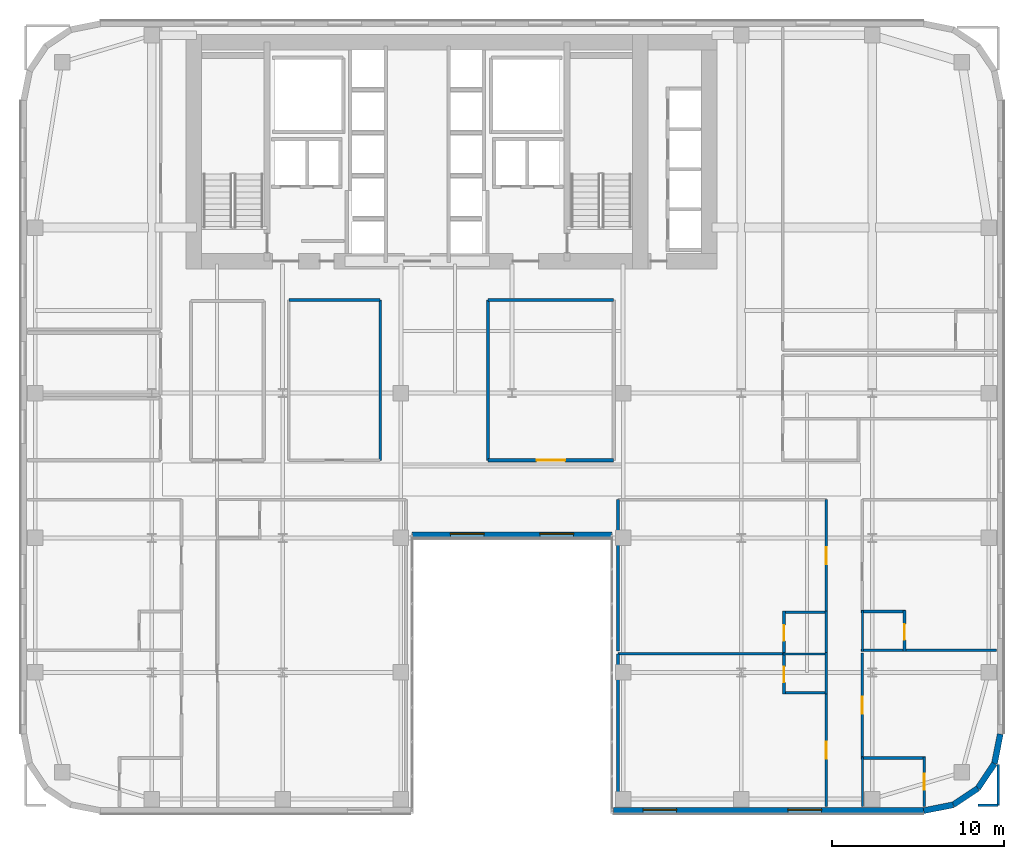
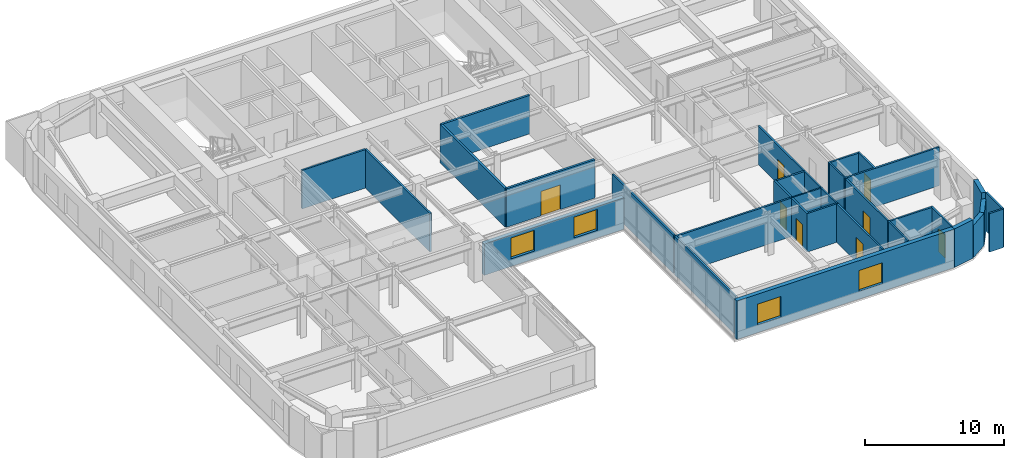
# One storey, part 15 of 24: 33 walls, 8 doors, 4 windows, 12 openings.
"""IFC4 building model written with IfcOpenShell, lengths in metres."""

from ifc_helpers import new_model, si_unit, direction, frame, frame_2d, origin, place, context, subcontext, project, spatial, rectangle, extrude, source, transform, mapped, material, layer, layer_set, type_object, type_shapes, element, fill, save


model = new_model("IFC4")

# Units and contexts
model_context = context("Model", 3, precision=1e-05, world=origin(), true_north=direction((0.0, 1.0)))
body_context = subcontext(model_context, "Body", "Model", "MODEL_VIEW")
ifc_project = project(units=[si_unit("LENGTHUNIT", "METRE"), si_unit("AREAUNIT", "SQUARE_METRE"), si_unit("VOLUMEUNIT", "CUBIC_METRE"), si_unit("PLANEANGLEUNIT", "RADIAN"), si_unit("MASSUNIT", "GRAM", prefix="KILO")], contexts=[model_context])

# Site, building, storey
site_placement = place(None, origin())
site = spatial("IfcSite", under=ifc_project, at=site_placement, CompositionType="ELEMENT")
building_placement = place(site_placement, origin())
building = spatial("IfcBuilding", under=site, at=building_placement, Name="Tolvann Quenvar Hotel", CompositionType="ELEMENT")
storey_placement = place(building_placement, frame((0.0, 0.0, 88.800048828125)))
storey = spatial("IfcBuildingStorey", under=building, at=storey_placement, Name="L22", CompositionType="ELEMENT", Elevation=88.800048828125)

# Wall, openings, windows
ifc_material_1 = material(Name="Kiln-fired red and buff architectural clay brickwork and terracotta masonry", Category="masonry")
ifc_layer_1 = layer(ifc_material_1, 0.35009765625)
ifc_layer_set_1 = layer_set([ifc_layer_1], Name="Kiln-fired red and buff architectural clay brickwork and terracotta masonry")
wall_type_1 = type_object("IfcWallType", Name="WALL_EXT_BRICK_350", PredefinedType="SOLIDWALL", material=ifc_layer_set_1)
wall_1_placement = place(storey_placement, frame((22.7099609375, 16.175048828125, 0.0), z_axis=(0.0, 0.0, 1.0), x_axis=(1.0, 0.0, 0.0)))
wall_1 = element("IfcWall", 1, at=wall_1_placement, inside=storey, type_object=wall_type_1, Name="Exterior Chicago Brick Wall L22-E06", PredefinedType="SOLIDWALL", context=body_context, shape_type="SweptSolid", body=[
    extrude(rectangle(XDim=11.580078125, YDim=0.35009765625, at=frame_2d((5.7900390625, 0.0))), origin(), (0.0, 0.0, 1.0), 2.748046875),
])
opening_1_placement = place(wall_1_placement, frame((2.219970703125, 0.0, 0.679931640625)))
opening_1 = element("IfcOpeningElement", 2, at=opening_1_placement, cuts=wall_1, Name="Opening W-10", PredefinedType="OPENING", context=body_context, shape_type="SweptSolid", body=[
    extrude(rectangle(XDim=1.949951171875, YDim=1.820068359375, at=frame_2d((0.97509765625, 0.91015625))), frame((0.0, 0.18505859375, 0.0), z_axis=(0.0, -1.0, 0.0), x_axis=(1.0, 0.0, 0.0)), (0.0, 0.0, 1.0), 0.3701171875),
])
opening_2_placement = place(wall_1_placement, frame((7.409912109375, 0.0, 0.679931640625)))
opening_2 = element("IfcOpeningElement", 3, at=opening_2_placement, cuts=wall_1, Name="Opening W-10", PredefinedType="OPENING", context=body_context, shape_type="SweptSolid", body=[
    extrude(rectangle(XDim=1.949951171875, YDim=1.820068359375, at=frame_2d((0.97509765625, 0.91015625))), frame((0.0, 0.18505859375, 0.0), z_axis=(0.0, -1.0, 0.0), x_axis=(1.0, 0.0, 0.0)), (0.0, 0.0, 1.0), 0.3701171875),
])
ifc_material_2 = material(Name="Thermally broken bronze-anodised aluminium frame with double low-E glazing", Category="aluminium")
window_type = type_object("IfcWindowType", Name="WIN_CLB_1950x1850", PartitioningType="DOUBLE_PANEL_VERTICAL", PredefinedType="WINDOW", material=ifc_material_2)
shared_shape_1 = source(origin(), body_context, "Body", "SweptSolid", [
    extrude(rectangle(XDim=1.949951171875, YDim=1.820068359375, at=frame_2d((0.97509765625, 0.91015625))), frame((0.0, 0.090087890625, 0.0), z_axis=(0.0, -1.0, 0.0), x_axis=(1.0, 0.0, 0.0)), (0.0, 0.0, 1.0), 0.06005859375),
])
type_shapes(window_type, [shared_shape_1])
window_1_placement = place(opening_1_placement, origin())
window_1 = element("IfcWindow", 4, at=window_1_placement, inside=storey, type_object=window_type, Name="Chicago Window W-10 (EW-L22-E06-W01)", OverallHeight=1.820068359375, OverallWidth=1.949951171875, PartitioningType="DOUBLE_PANEL_VERTICAL", PredefinedType="WINDOW", context=body_context, shape_type="MappedRepresentation", body=[
    mapped(shared_shape_1, transform((0.0, 0.0, 0.0), x_axis=(1.0, 0.0, 0.0), y_axis=(0.0, 1.0, 0.0), z_axis=(0.0, 0.0, 1.0), scale=1.0)),
])
fill(opening_1, window_1)
window_2_placement = place(opening_2_placement, origin())
window_2 = element("IfcWindow", 5, at=window_2_placement, inside=storey, type_object=window_type, Name="Chicago Window W-10 (EW-L22-E06-W02)", OverallHeight=1.820068359375, OverallWidth=1.949951171875, PartitioningType="DOUBLE_PANEL_VERTICAL", PredefinedType="WINDOW", context=body_context, shape_type="MappedRepresentation", body=[
    mapped(shared_shape_1, transform((0.0, 0.0, 0.0), x_axis=(1.0, 0.0, 0.0), y_axis=(0.0, 1.0, 0.0), z_axis=(0.0, 0.0, 1.0), scale=1.0)),
])
fill(opening_2, window_2)

wall_2_placement = place(storey_placement, frame((34.375, 0.175048828125, 0.0), z_axis=(0.0, 0.0, 1.0), x_axis=(1.0, 0.0, 0.0)))
wall_2 = element("IfcWall", 6, at=wall_2_placement, inside=storey, type_object=wall_type_1, Name="Exterior Chicago Brick Wall L22-E08", PredefinedType="SOLIDWALL", context=body_context, shape_type="SweptSolid", body=[
    extrude(rectangle(XDim=18.0078125, YDim=0.35009765625, at=frame_2d((9.00390625, 0.0))), origin(), (0.0, 0.0, 1.0), 3.369873046875),
])
opening_3_placement = place(wall_2_placement, frame((1.72607421875, 0.0, 0.679931640625)))
opening_3 = element("IfcOpeningElement", 7, at=opening_3_placement, cuts=wall_2, Name="Opening W-10", PredefinedType="OPENING", context=body_context, shape_type="SweptSolid", body=[
    extrude(rectangle(XDim=1.949951171875, YDim=1.820068359375, at=frame_2d((0.97509765625, 0.91015625))), frame((0.0, 0.18505859375, 0.0), z_axis=(0.0, -1.0, 0.0), x_axis=(1.0, 0.0, 0.0)), (0.0, 0.0, 1.0), 0.3701171875),
])
opening_4_placement = place(wall_2_placement, frame((10.1298828125, 0.0, 0.679931640625)))
opening_4 = element("IfcOpeningElement", 8, at=opening_4_placement, cuts=wall_2, Name="Opening W-10", PredefinedType="OPENING", context=body_context, shape_type="SweptSolid", body=[
    extrude(rectangle(XDim=1.949951171875, YDim=1.820068359375, at=frame_2d((0.97509765625, 0.91015625))), frame((0.0, 0.18505859375, 0.0), z_axis=(0.0, -1.0, 0.0), x_axis=(1.0, 0.0, 0.0)), (0.0, 0.0, 1.0), 0.3701171875),
])
window_3_placement = place(opening_3_placement, origin())
window_3 = element("IfcWindow", 9, at=window_3_placement, inside=storey, type_object=window_type, Name="Chicago Window W-10 (EW-L22-E08-W01)", OverallHeight=1.820068359375, OverallWidth=1.949951171875, PartitioningType="DOUBLE_PANEL_VERTICAL", PredefinedType="WINDOW", context=body_context, shape_type="MappedRepresentation", body=[
    mapped(shared_shape_1, transform((0.0, 0.0, 0.0), x_axis=(1.0, 0.0, 0.0), y_axis=(0.0, 1.0, 0.0), z_axis=(0.0, 0.0, 1.0), scale=1.0)),
])
fill(opening_3, window_3)
window_4_placement = place(opening_4_placement, origin())
window_4 = element("IfcWindow", 10, at=window_4_placement, inside=storey, type_object=window_type, Name="Chicago Window W-10 (EW-L22-E08-W02)", OverallHeight=1.820068359375, OverallWidth=1.949951171875, PartitioningType="DOUBLE_PANEL_VERTICAL", PredefinedType="WINDOW", context=body_context, shape_type="MappedRepresentation", body=[
    mapped(shared_shape_1, transform((0.0, 0.0, 0.0), x_axis=(1.0, 0.0, 0.0), y_axis=(0.0, 1.0, 0.0), z_axis=(0.0, 0.0, 1.0), scale=1.0)),
])
fill(opening_4, window_4)

# Walls
wall_3_placement = place(storey_placement, frame((52.3828125, 0.175048828125, 0.0), z_axis=(0.0, 0.0, 1.0), x_axis=(0.980800971659, 0.195011420161, 0.0)))
element("IfcWall", 11, at=wall_3_placement, inside=storey, type_object=wall_type_1, Name="Exterior Chicago Brick Wall L22-E09", PredefinedType="SOLIDWALL", context=body_context, shape_type="SweptSolid", body=[
    extrude(rectangle(XDim=1.74267578125, YDim=0.35009765625, at=frame_2d((0.871337890625, 0.0))), origin(), (0.0, 0.0, 1.0), 3.369873046875),
])
for number, where, z_axis, x_axis, name in (
    (12, (54.092041015625, 0.514892578125, 0.0), (0.0, 0.0, 1.0), (0.831483840845, 0.55554893791, 0.0), "Exterior Chicago Brick Wall L22-E10"),
    (13, (55.526611328125, 1.473388671875, 0.0), (0.0, 0.0, 1.0), (0.55554893791, 0.831483840845, 0.0), "Exterior Chicago Brick Wall L22-E11"),
):
    element("IfcWall", number, at=place(storey_placement, frame(where, z_axis=z_axis, x_axis=x_axis)), inside=storey, type_object=wall_type_1, Name=name, PredefinedType="SOLIDWALL", context=body_context, shape_type="SweptSolid", body=[
        extrude(rectangle(XDim=1.725341796875, YDim=0.35009765625, at=frame_2d((0.86279296875, 0.0))), origin(), (0.0, 0.0, 1.0), 2.83203125),
    ])
wall_4_placement = place(storey_placement, frame((56.485107421875, 2.907958984375, 0.0), z_axis=(0.0, 0.0, 1.0), x_axis=(0.195011420161, 0.980800971659, 0.0)))
element("IfcWall", 14, at=wall_4_placement, inside=storey, type_object=wall_type_1, Name="Exterior Chicago Brick Wall L22-E12", PredefinedType="SOLIDWALL", context=body_context, shape_type="SweptSolid", body=[
    extrude(rectangle(XDim=1.74267578125, YDim=0.35009765625, at=frame_2d((0.871337890625, 0.0))), origin(), (0.0, 0.0, 1.0), 3.369873046875),
])

# Wall, opening, door
ifc_material_3 = material(Name="Acoustic twin-stud fire-rated gypsum plasterboard partition")
ifc_layer_2 = layer(ifc_material_3, 0.179931640625)
ifc_layer_set_2 = layer_set([ifc_layer_2], Name="Acoustic twin-stud fire-rated gypsum plasterboard partition")
wall_type_2 = type_object("IfcWallType", Name="WALL_PART_ACOUSTIC_180", PredefinedType="PARTITIONING", material=ifc_layer_set_2)
wall_5_placement = place(storey_placement, frame((27.10009765625, 20.5, 0.0), z_axis=(0.0, 0.0, 1.0), x_axis=(1.0, 0.0, 0.0)))
wall_5 = element("IfcWall", 15, at=wall_5_placement, inside=storey, type_object=wall_type_2, Name="Interior Partition PT-SPC-L22-MSP-C-S", PredefinedType="PARTITIONING", context=body_context, shape_type="SweptSolid", body=[
    extrude(rectangle(XDim=7.2998046875, YDim=0.179931640625, at=frame_2d((3.64990234375, 0.0))), origin(), (0.0, 0.0, 1.0), 3.369873046875),
])
opening_5_placement = place(wall_5_placement, frame((2.824951171875, 0.0, 0.0)))
opening_5 = element("IfcOpeningElement", 16, at=opening_5_placement, cuts=wall_5, Name="Opening AD-01", PredefinedType="OPENING", context=body_context, shape_type="SweptSolid", body=[
    extrude(rectangle(XDim=1.64990234375, YDim=2.14990234375, at=frame_2d((0.824951171875, 1.074951171875))), frame((0.0, 0.10009765625, 0.0), z_axis=(0.0, -1.0, 0.0), x_axis=(1.0, 0.0, 0.0)), (0.0, 0.0, 1.0), 0.199951171875),
])
ifc_material_4 = material(Name="Solid-core American oak acoustic fire door leaf in steel frame", Category="steel")
door_type_1 = type_object("IfcDoorType", Name="DOOR_SALON_1650", OperationType="NOTDEFINED", PredefinedType="DOOR", material=ifc_material_4)
shared_shape_2 = source(origin(), body_context, "Body", "SweptSolid", [
    extrude(rectangle(XDim=1.64990234375, YDim=2.14990234375, at=frame_2d((0.824951171875, 1.074951171875))), frame((0.0, 0.02490234375, 0.0), z_axis=(0.0, -1.0, 0.0), x_axis=(1.0, 0.0, 0.0)), (0.0, 0.0, 1.0), 0.050048828125),
])
type_shapes(door_type_1, [shared_shape_2])
door_1_placement = place(opening_5_placement, origin())
door_1 = element("IfcDoor", 17, at=door_1_placement, inside=storey, type_object=door_type_1, Name="Interior Door DOOR-SPC-L22-MSP-C", OperationType="DOUBLE_DOOR_SINGLE_SWING", OverallHeight=2.14990234375, OverallWidth=1.64990234375, PredefinedType="DOOR", context=body_context, shape_type="MappedRepresentation", body=[
    mapped(shared_shape_2, transform((0.0, 0.0, 0.0), x_axis=(1.0, 0.0, 0.0), y_axis=(0.0, 1.0, 0.0), z_axis=(0.0, 0.0, 1.0), scale=1.0)),
])
fill(opening_5, door_1)

# Walls
wall_6_placement = place(storey_placement, frame((27.10009765625, 29.800048828125, 0.0), z_axis=(0.0, 0.0, 1.0), x_axis=(1.0, 0.0, 0.0)))
element("IfcWall", 18, at=wall_6_placement, inside=storey, type_object=wall_type_2, Name="Interior Partition PT-SPC-L22-MSP-C-N", PredefinedType="PARTITIONING", context=body_context, shape_type="SweptSolid", body=[
    extrude(rectangle(XDim=7.2998046875, YDim=0.179931640625, at=frame_2d((3.64990234375, 0.0))), origin(), (0.0, 0.0, 1.0), 3.369873046875),
])
wall_7_placement = place(storey_placement, frame((27.10009765625, 20.5, 0.0), z_axis=(0.0, 0.0, 1.0), x_axis=(0.0, 1.0, 0.0)))
element("IfcWall", 19, at=wall_7_placement, inside=storey, type_object=wall_type_2, Name="Interior Partition PT-SPC-L22-MSP-C-W", PredefinedType="PARTITIONING", context=body_context, shape_type="SweptSolid", body=[
    extrude(rectangle(XDim=9.300048828125, YDim=0.179931640625, at=frame_2d((4.64990234375, 0.0))), origin(), (0.0, 0.0, 1.0), 3.369873046875),
])
ifc_material_5 = material(Name="Moisture-resistant acoustic plumbing wall assembly")
ifc_layer_3 = layer(ifc_material_5, 0.1201171875)
ifc_layer_set_3 = layer_set([ifc_layer_3], Name="Moisture-resistant acoustic plumbing wall assembly")
wall_type_3 = type_object("IfcWallType", Name="WALL_PART_BATH_120", PredefinedType="PLUMBINGWALL", material=ifc_layer_set_3)
wall_8_placement = place(storey_placement, frame((44.2099609375, 9.27001953125, 0.0), z_axis=(0.0, 0.0, 1.0), x_axis=(1.0, 0.0, 0.0)))
element("IfcWall", 20, at=wall_8_placement, inside=storey, type_object=wall_type_3, Name="Non-Rated Plumbing Partition PT-SPC-L22-ENS-EI01-N", PredefinedType="PLUMBINGWALL", context=body_context, shape_type="SweptSolid", body=[
    extrude(rectangle(XDim=2.590087890625, YDim=0.1201171875, at=frame_2d((1.294921875, 0.0))), origin(), (0.0, 0.0, 1.0), 3.369873046875),
])
wall_9_placement = place(storey_placement, frame((46.72998046875, 6.949951171875, 0.0), z_axis=(0.0, 0.0, 1.0), x_axis=(0.0, 1.0, 0.0)))
element("IfcWall", 21, at=wall_9_placement, inside=storey, type_object=wall_type_3, Name="Non-Rated Plumbing Partition PT-SPC-L22-ENS-EI01-E", PredefinedType="PLUMBINGWALL", context=body_context, shape_type="SweptSolid", body=[
    extrude(rectangle(XDim=2.39013671875, YDim=0.1201171875, at=frame_2d((1.195068359375, 0.0))), origin(), (0.0, 0.0, 1.0), 3.369873046875),
])
wall_10_placement = place(storey_placement, frame((46.72998046875, 9.360107421875, 0.0), z_axis=(0.0, 0.0, 1.0), x_axis=(0.0, 1.0, 0.0)))
element("IfcWall", 22, at=wall_10_placement, inside=storey, type_object=wall_type_3, Name="Non-Rated Plumbing Partition PT-SPC-L22-ENS-EI02-E", PredefinedType="PLUMBINGWALL", context=body_context, shape_type="SweptSolid", body=[
    extrude(rectangle(XDim=2.389892578125, YDim=0.1201171875, at=frame_2d((1.19482421875, 0.0))), origin(), (0.0, 0.0, 1.0), 3.369873046875),
])
wall_11_placement = place(storey_placement, frame((48.820068359375, 0.405029296875, 0.0), z_axis=(0.0, 0.0, 1.0), x_axis=(0.0, 1.0, 0.0)))
element("IfcWall", 23, at=wall_11_placement, inside=storey, type_object=wall_type_3, Name="Non-Rated Plumbing Partition PT-SPC-L22-ENS-EO01-W", PredefinedType="PLUMBINGWALL", context=body_context, shape_type="SweptSolid", body=[
    extrude(rectangle(XDim=2.89501953125, YDim=0.1201171875, at=frame_2d((1.447509765625, 0.0))), origin(), (0.0, 0.0, 1.0), 3.369873046875),
])
wall_12_placement = place(storey_placement, frame((48.820068359375, 9.409912109375, 0.0), z_axis=(0.0, 0.0, 1.0), x_axis=(0.0, 1.0, 0.0)))
element("IfcWall", 24, at=wall_12_placement, inside=storey, type_object=wall_type_3, Name="Non-Rated Plumbing Partition PT-SPC-L22-ENS-EO02-W", PredefinedType="PLUMBINGWALL", context=body_context, shape_type="SweptSolid", body=[
    extrude(rectangle(XDim=2.39013671875, YDim=0.1201171875, at=frame_2d((1.195068359375, 0.0))), origin(), (0.0, 0.0, 1.0), 3.369873046875),
])

# Wall, opening, door
ifc_layer_4 = layer(ifc_material_3, 0.14990234375)
ifc_layer_set_4 = layer_set([ifc_layer_4], Name="Acoustic twin-stud fire-rated gypsum plasterboard partition")
wall_type_4 = type_object("IfcWallType", Name="WALL_PART_SUITE_150", PredefinedType="PARTITIONING", material=ifc_layer_set_4)
wall_13_placement = place(storey_placement, frame((44.280029296875, 6.949951171875, 0.0), z_axis=(0.0, 0.0, 1.0), x_axis=(0.0, 1.0, 0.0)))
wall_13 = element("IfcWall", 25, at=wall_13_placement, inside=storey, type_object=wall_type_4, Name="Interior Partition PT-SPC-L22-ENS-EI01-ENT", PredefinedType="PARTITIONING", context=body_context, shape_type="SweptSolid", body=[
    extrude(rectangle(XDim=2.39013671875, YDim=0.14990234375, at=frame_2d((1.195068359375, 0.0))), origin(), (0.0, 0.0, 1.0), 3.369873046875),
])
opening_6_placement = place(wall_13_placement, frame((0.6650390625, 0.0, 0.0)))
opening_6 = element("IfcOpeningElement", 26, at=opening_6_placement, cuts=wall_13, Name="Opening WD-01", PredefinedType="OPENING", context=body_context, shape_type="SweptSolid", body=[
    extrude(rectangle(XDim=0.919921875, YDim=2.010009765625, at=frame_2d((0.4599609375, 1.0048828125))), frame((0.0, 0.0849609375, 0.0), z_axis=(0.0, -1.0, 0.0), x_axis=(1.0, 0.0, 0.0)), (0.0, 0.0, 1.0), 0.169921875),
])
door_type_2 = type_object("IfcDoorType", Name="DOOR_WC_920", OperationType="NOTDEFINED", PredefinedType="DOOR", material=ifc_material_4)
shared_shape_3 = source(origin(), body_context, "Body", "SweptSolid", [
    extrude(rectangle(XDim=0.919921875, YDim=2.010009765625, at=frame_2d((0.4599609375, 1.0048828125))), frame((0.0, 0.02490234375, 0.0), z_axis=(0.0, -1.0, 0.0), x_axis=(1.0, 0.0, 0.0)), (0.0, 0.0, 1.0), 0.050048828125),
])
type_shapes(door_type_2, [shared_shape_3])
door_2_placement = place(opening_6_placement, origin())
door_2 = element("IfcDoor", 27, at=door_2_placement, inside=storey, type_object=door_type_2, Name="Interior Door DOOR-SPC-L22-ENS-EI01", OperationType="SINGLE_SWING_LEFT", OverallHeight=2.010009765625, OverallWidth=0.919921875, PredefinedType="DOOR", context=body_context, shape_type="MappedRepresentation", body=[
    mapped(shared_shape_3, transform((0.0, 0.0, 0.0), x_axis=(1.0, 0.0, 0.0), y_axis=(0.0, 1.0, 0.0), z_axis=(0.0, 0.0, 1.0), scale=1.0)),
])
fill(opening_6, door_2)

# Wall
wall_14_placement = place(storey_placement, frame((44.2099609375, 7.02001953125, 0.0), z_axis=(0.0, 0.0, 1.0), x_axis=(1.0, 0.0, 0.0)))
element("IfcWall", 28, at=wall_14_placement, inside=storey, type_object=wall_type_4, Name="Interior Partition PT-SPC-L22-ENS-EI01-S", PredefinedType="PARTITIONING", context=body_context, shape_type="SweptSolid", body=[
    extrude(rectangle(XDim=2.590087890625, YDim=0.14990234375, at=frame_2d((1.294921875, 0.0))), origin(), (0.0, 0.0, 1.0), 3.369873046875),
])

# Wall, opening, door
wall_15_placement = place(storey_placement, frame((44.280029296875, 9.360107421875, 0.0), z_axis=(0.0, 0.0, 1.0), x_axis=(0.0, 1.0, 0.0)))
wall_15 = element("IfcWall", 29, at=wall_15_placement, inside=storey, type_object=wall_type_4, Name="Interior Partition PT-SPC-L22-ENS-EI02-ENT", PredefinedType="PARTITIONING", context=body_context, shape_type="SweptSolid", body=[
    extrude(rectangle(XDim=2.389892578125, YDim=0.14990234375, at=frame_2d((1.19482421875, 0.0))), origin(), (0.0, 0.0, 1.0), 3.369873046875),
])
opening_7_placement = place(wall_15_placement, frame((0.6650390625, 0.0, 0.0)))
opening_7 = element("IfcOpeningElement", 30, at=opening_7_placement, cuts=wall_15, Name="Opening WD-01", PredefinedType="OPENING", context=body_context, shape_type="SweptSolid", body=[
    extrude(rectangle(XDim=0.919921875, YDim=2.010009765625, at=frame_2d((0.4599609375, 1.0048828125))), frame((0.0, 0.0849609375, 0.0), z_axis=(0.0, -1.0, 0.0), x_axis=(1.0, 0.0, 0.0)), (0.0, 0.0, 1.0), 0.169921875),
])
door_3_placement = place(opening_7_placement, origin())
door_3 = element("IfcDoor", 31, at=door_3_placement, inside=storey, type_object=door_type_2, Name="Interior Door DOOR-SPC-L22-ENS-EI02", OperationType="SINGLE_SWING_RIGHT", OverallHeight=2.010009765625, OverallWidth=0.919921875, PredefinedType="DOOR", context=body_context, shape_type="MappedRepresentation", body=[
    mapped(shared_shape_3, transform((0.0, 0.0, 0.0), x_axis=(1.0, 0.0, 0.0), y_axis=(0.0, 1.0, 0.0), z_axis=(0.0, 0.0, 1.0), scale=1.0)),
])
fill(opening_7, door_3)

# Wall
wall_16_placement = place(storey_placement, frame((44.2099609375, 11.679931640625, 0.0), z_axis=(0.0, 0.0, 1.0), x_axis=(1.0, 0.0, 0.0)))
element("IfcWall", 32, at=wall_16_placement, inside=storey, type_object=wall_type_4, Name="Interior Partition PT-SPC-L22-ENS-EI02-N", PredefinedType="PARTITIONING", context=body_context, shape_type="SweptSolid", body=[
    extrude(rectangle(XDim=2.590087890625, YDim=0.14990234375, at=frame_2d((1.294921875, 0.0))), origin(), (0.0, 0.0, 1.0), 3.369873046875),
])

# Wall, opening, door
wall_17_placement = place(storey_placement, frame((52.419921875, 0.4169921875, 0.0), z_axis=(0.0, 0.0, 1.0), x_axis=(0.0, 1.0, 0.0)))
wall_17 = element("IfcWall", 33, at=wall_17_placement, inside=storey, type_object=wall_type_4, Name="Interior Partition PT-SPC-L22-ENS-EO01-ENT", PredefinedType="PARTITIONING", context=body_context, shape_type="SweptSolid", body=[
    extrude(rectangle(XDim=2.883056640625, YDim=0.14990234375, at=frame_2d((1.44140625, 0.0))), origin(), (0.0, 0.0, 1.0), 3.369873046875),
])
opening_8_placement = place(wall_17_placement, frame((0.968017578125, 0.0, 0.0)))
opening_8 = element("IfcOpeningElement", 34, at=opening_8_placement, cuts=wall_17, Name="Opening WD-01", PredefinedType="OPENING", context=body_context, shape_type="SweptSolid", body=[
    extrude(rectangle(XDim=0.919921875, YDim=2.010009765625, at=frame_2d((0.4599609375, 1.0048828125))), frame((0.0, 0.0849609375, 0.0), z_axis=(0.0, -1.0, 0.0), x_axis=(1.0, 0.0, 0.0)), (0.0, 0.0, 1.0), 0.169921875),
])
door_4_placement = place(opening_8_placement, origin())
door_4 = element("IfcDoor", 35, at=door_4_placement, inside=storey, type_object=door_type_2, Name="Interior Door DOOR-SPC-L22-ENS-EO01", OperationType="SINGLE_SWING_LEFT", OverallHeight=2.010009765625, OverallWidth=0.919921875, PredefinedType="DOOR", context=body_context, shape_type="MappedRepresentation", body=[
    mapped(shared_shape_3, transform((0.0, 0.0, 0.0), x_axis=(1.0, 0.0, 0.0), y_axis=(0.0, 1.0, 0.0), z_axis=(0.0, 0.0, 1.0), scale=1.0)),
])
fill(opening_8, door_4)

# Wall
wall_18_placement = place(storey_placement, frame((48.75, 3.22998046875, 0.0), z_axis=(0.0, 0.0, 1.0), x_axis=(1.0, 0.0, 0.0)))
element("IfcWall", 36, at=wall_18_placement, inside=storey, type_object=wall_type_4, Name="Interior Partition PT-SPC-L22-ENS-EO01-N", PredefinedType="PARTITIONING", context=body_context, shape_type="SweptSolid", body=[
    extrude(rectangle(XDim=3.739990234375, YDim=0.14990234375, at=frame_2d((1.8701171875, 0.0))), origin(), (0.0, 0.0, 1.0), 3.369873046875),
])

# Wall, opening, door
wall_19_placement = place(storey_placement, frame((51.27001953125, 9.409912109375, 0.0), z_axis=(0.0, 0.0, 1.0), x_axis=(0.0, 1.0, 0.0)))
wall_19 = element("IfcWall", 37, at=wall_19_placement, inside=storey, type_object=wall_type_4, Name="Interior Partition PT-SPC-L22-ENS-EO02-ENT", PredefinedType="PARTITIONING", context=body_context, shape_type="SweptSolid", body=[
    extrude(rectangle(XDim=2.39013671875, YDim=0.14990234375, at=frame_2d((1.195068359375, 0.0))), origin(), (0.0, 0.0, 1.0), 3.369873046875),
])
opening_9_placement = place(wall_19_placement, frame((0.6650390625, 0.0, 0.0)))
opening_9 = element("IfcOpeningElement", 38, at=opening_9_placement, cuts=wall_19, Name="Opening WD-01", PredefinedType="OPENING", context=body_context, shape_type="SweptSolid", body=[
    extrude(rectangle(XDim=0.919921875, YDim=2.010009765625, at=frame_2d((0.4599609375, 1.0048828125))), frame((0.0, 0.0849609375, 0.0), z_axis=(0.0, -1.0, 0.0), x_axis=(1.0, 0.0, 0.0)), (0.0, 0.0, 1.0), 0.169921875),
])
door_5_placement = place(opening_9_placement, origin())
door_5 = element("IfcDoor", 39, at=door_5_placement, inside=storey, type_object=door_type_2, Name="Interior Door DOOR-SPC-L22-ENS-EO02", OperationType="SINGLE_SWING_RIGHT", OverallHeight=2.010009765625, OverallWidth=0.919921875, PredefinedType="DOOR", context=body_context, shape_type="MappedRepresentation", body=[
    mapped(shared_shape_3, transform((0.0, 0.0, 0.0), x_axis=(1.0, 0.0, 0.0), y_axis=(0.0, 1.0, 0.0), z_axis=(0.0, 0.0, 1.0), scale=1.0)),
])
fill(opening_9, door_5)

# Walls
wall_20_placement = place(storey_placement, frame((48.75, 9.47998046875, 0.0), z_axis=(0.0, 0.0, 1.0), x_axis=(1.0, 0.0, 0.0)))
element("IfcWall", 40, at=wall_20_placement, inside=storey, type_object=wall_type_4, Name="Interior Partition PT-SPC-L22-ENS-EO02-S", PredefinedType="PARTITIONING", context=body_context, shape_type="SweptSolid", body=[
    extrude(rectangle(XDim=7.844970703125, YDim=0.14990234375, at=frame_2d((3.92236328125, 0.0))), origin(), (0.0, 0.0, 1.0), 3.369873046875),
])
wall_21_placement = place(storey_placement, frame((48.75, 11.72998046875, 0.0), z_axis=(0.0, 0.0, 1.0), x_axis=(1.0, 0.0, 0.0)))
element("IfcWall", 41, at=wall_21_placement, inside=storey, type_object=wall_type_4, Name="Interior Partition PT-SPC-L22-ENS-EO02-N", PredefinedType="PARTITIONING", context=body_context, shape_type="SweptSolid", body=[
    extrude(rectangle(XDim=2.590087890625, YDim=0.14990234375, at=frame_2d((1.294921875, 0.0))), origin(), (0.0, 0.0, 1.0), 3.369873046875),
])

# Wall, opening, door
wall_22_placement = place(storey_placement, frame((46.72998046875, 0.405029296875, 0.0), z_axis=(0.0, 0.0, 1.0), x_axis=(0.0, 1.0, 0.0)))
wall_22 = element("IfcWall", 42, at=wall_22_placement, inside=storey, type_object=wall_type_4, Name="Interior Partition PT-SPC-L22-RM-EI01-ENT", PredefinedType="PARTITIONING", context=body_context, shape_type="SweptSolid", body=[
    extrude(rectangle(XDim=6.534912109375, YDim=0.14990234375, at=frame_2d((3.267578125, 0.0))), origin(), (0.0, 0.0, 1.0), 3.369873046875),
])
opening_10_placement = place(wall_22_placement, frame((2.784912109375, 0.0, 0.0)))
opening_10 = element("IfcOpeningElement", 43, at=opening_10_placement, cuts=wall_22, Name="Opening SD-01", PredefinedType="OPENING", context=body_context, shape_type="SweptSolid", body=[
    extrude(rectangle(XDim=0.97998046875, YDim=2.1201171875, at=frame_2d((0.489990234375, 1.06005859375))), frame((0.0, 0.0849609375, 0.0), z_axis=(0.0, -1.0, 0.0), x_axis=(1.0, 0.0, 0.0)), (0.0, 0.0, 1.0), 0.169921875),
])
door_type_3 = type_object("IfcDoorType", Name="DOOR_SUITE_980", OperationType="NOTDEFINED", PredefinedType="DOOR", material=ifc_material_4)
shared_shape_4 = source(origin(), body_context, "Body", "SweptSolid", [
    extrude(rectangle(XDim=0.97998046875, YDim=2.1201171875, at=frame_2d((0.489990234375, 1.06005859375))), frame((0.0, 0.02490234375, 0.0), z_axis=(0.0, -1.0, 0.0), x_axis=(1.0, 0.0, 0.0)), (0.0, 0.0, 1.0), 0.050048828125),
])
type_shapes(door_type_3, [shared_shape_4])
door_6_placement = place(opening_10_placement, origin())
door_6 = element("IfcDoor", 44, at=door_6_placement, inside=storey, type_object=door_type_3, Name="Interior Door DOOR-SPC-L22-RM-EI01", OperationType="SINGLE_SWING_LEFT", OverallHeight=2.1201171875, OverallWidth=0.97998046875, PredefinedType="DOOR", context=body_context, shape_type="MappedRepresentation", body=[
    mapped(shared_shape_4, transform((0.0, 0.0, 0.0), x_axis=(1.0, 0.0, 0.0), y_axis=(0.0, 1.0, 0.0), z_axis=(0.0, 0.0, 1.0), scale=1.0)),
])
fill(opening_10, door_6)

# Walls
wall_23_placement = place(storey_placement, frame((34.64990234375, 9.27001953125, 0.0), z_axis=(0.0, 0.0, 1.0), x_axis=(1.0, 0.0, 0.0)))
element("IfcWall", 45, at=wall_23_placement, inside=storey, type_object=wall_type_4, Name="Interior Partition PT-SPC-L22-RM-EI01-E5", PredefinedType="PARTITIONING", context=body_context, shape_type="SweptSolid", body=[
    extrude(rectangle(XDim=9.610107421875, YDim=0.14990234375, at=frame_2d((4.80517578125, 0.0))), origin(), (0.0, 0.0, 1.0), 3.369873046875),
])
wall_24_placement = place(storey_placement, frame((34.64990234375, 0.405029296875, 0.0), z_axis=(0.0, 0.0, 1.0), x_axis=(0.0, 1.0, 0.0)))
element("IfcWall", 46, at=wall_24_placement, inside=storey, type_object=wall_type_4, Name="Interior Partition PT-SPC-L22-RM-EI01-E6", PredefinedType="PARTITIONING", context=body_context, shape_type="SweptSolid", body=[
    extrude(rectangle(XDim=8.864990234375, YDim=0.14990234375, at=frame_2d((4.4326171875, 0.0))), origin(), (0.0, 0.0, 1.0), 3.369873046875),
])

# Wall, opening, door
wall_25_placement = place(storey_placement, frame((46.72998046875, 11.760009765625, 0.0), z_axis=(0.0, 0.0, 1.0), x_axis=(0.0, 1.0, 0.0)))
wall_25 = element("IfcWall", 47, at=wall_25_placement, inside=storey, type_object=wall_type_4, Name="Interior Partition PT-SPC-L22-RM-EI02-ENT", PredefinedType="PARTITIONING", context=body_context, shape_type="SweptSolid", body=[
    extrude(rectangle(XDim=6.4599609375, YDim=0.14990234375, at=frame_2d((3.22998046875, 0.0))), origin(), (0.0, 0.0, 1.0), 3.369873046875),
])
opening_11_placement = place(wall_25_placement, frame((2.719970703125, 0.0, 0.0)))
opening_11 = element("IfcOpeningElement", 48, at=opening_11_placement, cuts=wall_25, Name="Opening SD-01", PredefinedType="OPENING", context=body_context, shape_type="SweptSolid", body=[
    extrude(rectangle(XDim=0.97998046875, YDim=2.1201171875, at=frame_2d((0.489990234375, 1.06005859375))), frame((0.0, 0.0849609375, 0.0), z_axis=(0.0, -1.0, 0.0), x_axis=(1.0, 0.0, 0.0)), (0.0, 0.0, 1.0), 0.169921875),
])
door_7_placement = place(opening_11_placement, origin())
door_7 = element("IfcDoor", 49, at=door_7_placement, inside=storey, type_object=door_type_3, Name="Interior Door DOOR-SPC-L22-RM-EI02", OperationType="SINGLE_SWING_RIGHT", OverallHeight=2.1201171875, OverallWidth=0.97998046875, PredefinedType="DOOR", context=body_context, shape_type="MappedRepresentation", body=[
    mapped(shared_shape_4, transform((0.0, 0.0, 0.0), x_axis=(1.0, 0.0, 0.0), y_axis=(0.0, 1.0, 0.0), z_axis=(0.0, 0.0, 1.0), scale=1.0)),
])
fill(opening_11, door_7)

# Wall
wall_26_placement = place(storey_placement, frame((34.64990234375, 9.429931640625, 0.0), z_axis=(0.0, 0.0, 1.0), x_axis=(0.0, 1.0, 0.0)))
element("IfcWall", 50, at=wall_26_placement, inside=storey, type_object=wall_type_4, Name="Interior Partition PT-SPC-L22-RM-EI02-E6", PredefinedType="PARTITIONING", context=body_context, shape_type="SweptSolid", body=[
    extrude(rectangle(XDim=8.7900390625, YDim=0.14990234375, at=frame_2d((4.39501953125, 0.0))), origin(), (0.0, 0.0, 1.0), 3.369873046875),
])

# Wall, opening, door
wall_27_placement = place(storey_placement, frame((48.820068359375, 3.31005859375, 0.0), z_axis=(0.0, 0.0, 1.0), x_axis=(0.0, 1.0, 0.0)))
wall_27 = element("IfcWall", 51, at=wall_27_placement, inside=storey, type_object=wall_type_4, Name="Interior Partition PT-SPC-L22-RM-EO01-ENT", PredefinedType="PARTITIONING", context=body_context, shape_type="SweptSolid", body=[
    extrude(rectangle(XDim=6.010009765625, YDim=0.14990234375, at=frame_2d((3.0048828125, 0.0))), origin(), (0.0, 0.0, 1.0), 3.369873046875),
])
opening_12_placement = place(wall_27_placement, frame((2.4951171875, 0.0, 0.0)))
opening_12 = element("IfcOpeningElement", 52, at=opening_12_placement, cuts=wall_27, Name="Opening SD-01", PredefinedType="OPENING", context=body_context, shape_type="SweptSolid", body=[
    extrude(rectangle(XDim=0.97998046875, YDim=2.1201171875, at=frame_2d((0.489990234375, 1.06005859375))), frame((0.0, 0.0849609375, 0.0), z_axis=(0.0, -1.0, 0.0), x_axis=(1.0, 0.0, 0.0)), (0.0, 0.0, 1.0), 0.169921875),
])
door_8_placement = place(opening_12_placement, origin())
door_8 = element("IfcDoor", 53, at=door_8_placement, inside=storey, type_object=door_type_3, Name="Interior Door DOOR-SPC-L22-RM-EO01", OperationType="SINGLE_SWING_LEFT", OverallHeight=2.1201171875, OverallWidth=0.97998046875, PredefinedType="DOOR", context=body_context, shape_type="MappedRepresentation", body=[
    mapped(shared_shape_4, transform((0.0, 0.0, 0.0), x_axis=(1.0, 0.0, 0.0), y_axis=(0.0, 1.0, 0.0), z_axis=(0.0, 0.0, 1.0), scale=1.0)),
])
fill(opening_12, door_8)

# Walls
wall_28_placement = place(storey_placement, frame((55.52587890625, 0.47998046875, 0.0), z_axis=(0.0, 0.0, 1.0), x_axis=(1.0, 0.0, 0.0)))
element("IfcWall", 54, at=wall_28_placement, inside=storey, type_object=wall_type_4, Name="Interior Partition PT-SPC-L22-RM-EO01-E3", PredefinedType="PARTITIONING", context=body_context, shape_type="SweptSolid", body=[
    extrude(rectangle(XDim=1.174072265625, YDim=0.14990234375, at=frame_2d((0.5869140625, 0.0))), origin(), (0.0, 0.0, 1.0), 3.369873046875),
])
wall_29_placement = place(storey_placement, frame((56.699951171875, 0.47998046875, 0.0), z_axis=(0.0, 0.0, 1.0), x_axis=(0.0, 1.0, 0.0)))
element("IfcWall", 55, at=wall_29_placement, inside=storey, type_object=wall_type_4, Name="Interior Partition PT-SPC-L22-RM-EO01-E4", PredefinedType="PARTITIONING", context=body_context, shape_type="SweptSolid", body=[
    extrude(rectangle(XDim=2.385009765625, YDim=0.14990234375, at=frame_2d((1.1923828125, 0.0))), origin(), (0.0, 0.0, 1.0), 3.369873046875),
])
wall_30_placement = place(storey_placement, frame((15.550048828125, 29.800048828125, 0.0), z_axis=(0.0, 0.0, 1.0), x_axis=(1.0, 0.0, 0.0)))
element("IfcWall", 56, at=wall_30_placement, inside=storey, type_object=wall_type_4, Name="Interior Partition PT-SPC-L22-MSP-N-N", PredefinedType="PARTITIONING", context=body_context, shape_type="SweptSolid", body=[
    extrude(rectangle(XDim=5.300048828125, YDim=0.14990234375, at=frame_2d((2.64990234375, 0.0))), origin(), (0.0, 0.0, 1.0), 3.369873046875),
])
wall_31_placement = place(storey_placement, frame((20.85009765625, 20.5, 0.0), z_axis=(0.0, 0.0, 1.0), x_axis=(0.0, 1.0, 0.0)))
element("IfcWall", 57, at=wall_31_placement, inside=storey, type_object=wall_type_4, Name="Interior Partition PT-SPC-L22-MSP-N-E", PredefinedType="PARTITIONING", context=body_context, shape_type="SweptSolid", body=[
    extrude(rectangle(XDim=9.300048828125, YDim=0.14990234375, at=frame_2d((4.64990234375, 0.0))), origin(), (0.0, 0.0, 1.0), 3.369873046875),
])

save(model, "model.ifc")
